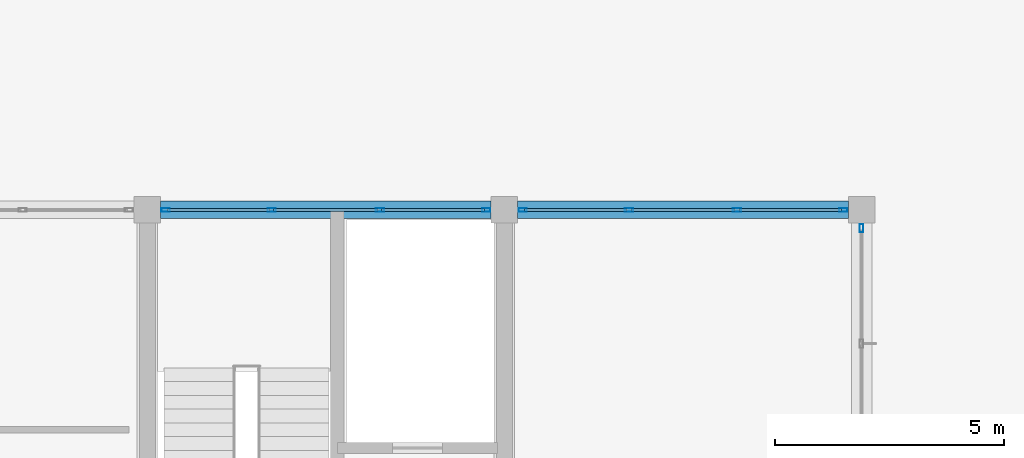
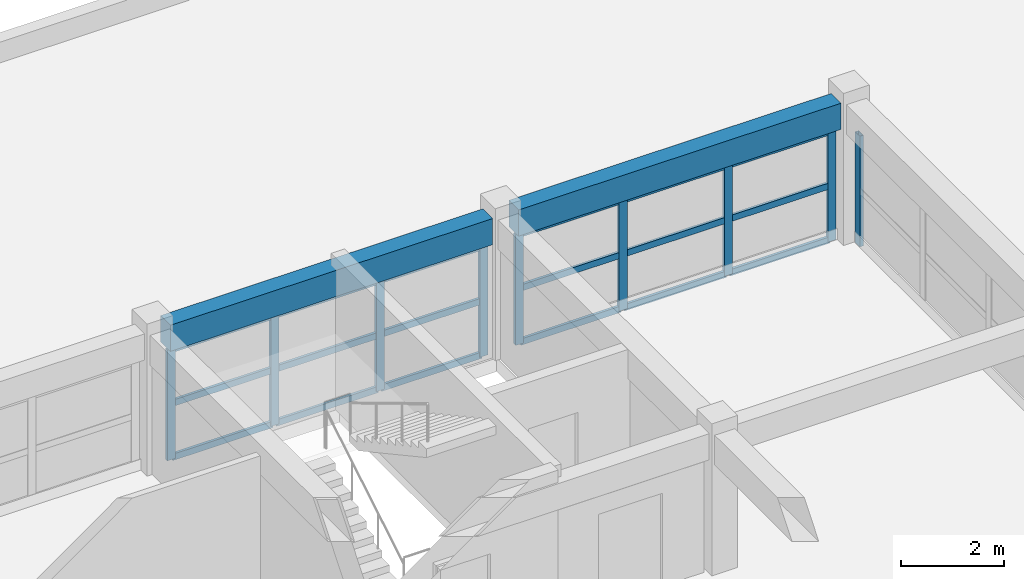
# One storey, part 74 of 101: 27 members, 2 beams, 3 elements without a shape of their own.
"""IFC4 building model written with IfcOpenShell, lengths in metres."""

from ifc_helpers import new_model, si_unit, direction, frame, origin, origin_2d, place, context, subcontext, project, spatial, rectangle, hollow_rectangle, extrude, material, layer, layer_set, material_profile, profile_set, type_object, element, aggregate, save


model = new_model("IFC4")

# Units and contexts
model_context = context("Model", 3, precision=1e-05, world=origin(), true_north=direction((0.0, 1.0)))
body_context = subcontext(model_context, "Body", "Model", "MODEL_VIEW")
ifc_project = project(units=[si_unit("LENGTHUNIT", "METRE"), si_unit("AREAUNIT", "SQUARE_METRE"), si_unit("VOLUMEUNIT", "CUBIC_METRE"), si_unit("PLANEANGLEUNIT", "RADIAN"), si_unit("MASSUNIT", "GRAM", prefix="KILO")], contexts=[model_context])

# Site, building, storey
site_placement = place(None, origin())
site = spatial("IfcSite", under=ifc_project, at=site_placement, CompositionType="ELEMENT")
building_placement = place(site_placement, origin())
building = spatial("IfcBuilding", under=site, at=building_placement, Name="Zizhar Promenade General Hospital", CompositionType="ELEMENT")
storey_placement = place(building_placement, frame((0.0, 0.0, 14.39990234375)))
storey = spatial("IfcBuildingStorey", under=building, at=storey_placement, Name="L03", CompositionType="ELEMENT", Elevation=14.39990234375)

# Beams
ifc_material_1 = material(Name="Concrete C35/45", Category="concrete")
ifc_material_profile_1 = material_profile(ifc_material_1, rectangle(XDim=0.3798828125, YDim=0.6201171875, at=origin_2d()))
ifc_profile_set_1 = profile_set([ifc_material_profile_1], Name="Concrete C35/45")
beam_type = type_object("IfcBeamType", Name="BM-RC-380x620", PredefinedType="JOIST", material=ifc_profile_set_1)
beam_1_placement = place(storey_placement, frame((171.889892578125, 100.800048828125, 3.0), z_axis=(1.0, 0.0, 0.0), x_axis=(0.0, 1.0, 0.0)))
element("IfcBeam", 1, at=beam_1_placement, inside=storey, type_object=beam_type, Name="Grid Beam X L03 (22-12)", PredefinedType="JOIST", context=body_context, shape_type="SweptSolid", body=[
    extrude(rectangle(XDim=0.3798828125, YDim=0.6201171875, at=origin_2d()), origin(), (0.0, 0.0, 1.0), 7.22021484375),
])
beam_2_placement = place(storey_placement, frame((179.68994140625, 100.800048828125, 3.0), z_axis=(1.0, 0.0, 0.0), x_axis=(0.0, 1.0, 0.0)))
element("IfcBeam", 2, at=beam_2_placement, inside=storey, type_object=beam_type, Name="Grid Beam X L03 (23-12)", PredefinedType="JOIST", context=body_context, shape_type="SweptSolid", body=[
    extrude(rectangle(XDim=0.3798828125, YDim=0.6201171875, at=origin_2d()), origin(), (0.0, 0.0, 1.0), 7.219970703125),
])

# Curtain wall, members
ifc_material_2 = material(Name="Anodised aluminium 6063-T6 and low-E glass", Category="aluminium")
ifc_layer = layer(ifc_material_2, 0.159912109375)
ifc_layer_set = layer_set([ifc_layer], Name="Anodised aluminium 6063-T6 and low-E glass")
curtain_wall_type = type_object("IfcCurtainWallType", Name="CW-CLN-L03", PredefinedType="NOTDEFINED", material=ifc_layer_set)
curtain_wall_1_placement = place(storey_placement, origin())
curtain_wall_1 = element("IfcCurtainWall", 3, at=curtain_wall_1_placement, inside=storey, type_object=curtain_wall_type, Name="L03 Clinic Pavilion North Glazing 22", PredefinedType="NOTDEFINED")
ifc_material_3 = material(Name="Anodised aluminium 6063-T6", Category="aluminium")
ifc_material_profile_2 = material_profile(ifc_material_3, hollow_rectangle(XDim=0.080078125, YDim=0.179931640625, WallThickness=0.0048828125, at=origin_2d()))
ifc_profile_set_2 = profile_set([ifc_material_profile_2], Name="Anodised aluminium 6063-T6")
member_type_1 = type_object("IfcMemberType", Name="CWM-ALU-180x80", PredefinedType="MULLION", material=ifc_profile_set_2)
member_1_placement = place(storey_placement, frame((172.0, 100.800048828125, 0.0), z_axis=(0.0, 0.0, 1.0), x_axis=(0.0, 1.0, 0.0)))
member_1 = element("IfcMember", 4, at=member_1_placement, type_object=member_type_1, Name="CW-11 mullion 1", PredefinedType="MULLION", context=body_context, shape_type="SweptSolid", body=[
    extrude(hollow_rectangle(XDim=0.080078125, YDim=0.179931640625, WallThickness=0.0048828125, at=origin_2d()), origin(), (0.0, 0.0, 1.0), 2.6201171875),
])
member_2_placement = place(storey_placement, frame((174.320068359375, 100.800048828125, 0.0), z_axis=(0.0, 0.0, 1.0), x_axis=(0.0, 1.0, 0.0)))
member_2 = element("IfcMember", 5, at=member_2_placement, type_object=member_type_1, Name="CW-11 mullion 2", PredefinedType="MULLION", context=body_context, shape_type="SweptSolid", body=[
    extrude(hollow_rectangle(XDim=0.080078125, YDim=0.179931640625, WallThickness=0.0048828125, at=origin_2d()), origin(), (0.0, 0.0, 1.0), 2.6201171875),
])
member_3_placement = place(storey_placement, frame((176.679931640625, 100.800048828125, 0.0), z_axis=(0.0, 0.0, 1.0), x_axis=(0.0, 1.0, 0.0)))
member_3 = element("IfcMember", 6, at=member_3_placement, type_object=member_type_1, Name="CW-11 mullion 3", PredefinedType="MULLION", context=body_context, shape_type="SweptSolid", body=[
    extrude(hollow_rectangle(XDim=0.080078125, YDim=0.179931640625, WallThickness=0.0048828125, at=origin_2d()), origin(), (0.0, 0.0, 1.0), 2.6201171875),
])
member_4_placement = place(storey_placement, frame((179.0, 100.800048828125, 0.0), z_axis=(0.0, 0.0, 1.0), x_axis=(0.0, 1.0, 0.0)))
member_4 = element("IfcMember", 7, at=member_4_placement, type_object=member_type_1, Name="CW-11 mullion 4", PredefinedType="MULLION", context=body_context, shape_type="SweptSolid", body=[
    extrude(hollow_rectangle(XDim=0.080078125, YDim=0.179931640625, WallThickness=0.0048828125, at=origin_2d()), origin(), (0.0, 0.0, 1.0), 2.6201171875),
])

curtain_wall_2_placement = place(storey_placement, origin())
curtain_wall_2 = element("IfcCurtainWall", 8, at=curtain_wall_2_placement, inside=storey, type_object=curtain_wall_type, Name="L03 Clinic Pavilion North Glazing 23", PredefinedType="NOTDEFINED")
member_5_placement = place(storey_placement, frame((179.800048828125, 100.800048828125, 0.0), z_axis=(0.0, 0.0, 1.0), x_axis=(0.0, 1.0, 0.0)))
member_5 = element("IfcMember", 9, at=member_5_placement, type_object=member_type_1, Name="CW-11 mullion 1", PredefinedType="MULLION", context=body_context, shape_type="SweptSolid", body=[
    extrude(hollow_rectangle(XDim=0.080078125, YDim=0.179931640625, WallThickness=0.0048828125, at=origin_2d()), origin(), (0.0, 0.0, 1.0), 2.6201171875),
])
member_6_placement = place(storey_placement, frame((182.1201171875, 100.800048828125, 0.0), z_axis=(0.0, 0.0, 1.0), x_axis=(0.0, 1.0, 0.0)))
member_6 = element("IfcMember", 10, at=member_6_placement, type_object=member_type_1, Name="CW-11 mullion 2", PredefinedType="MULLION", context=body_context, shape_type="SweptSolid", body=[
    extrude(hollow_rectangle(XDim=0.080078125, YDim=0.179931640625, WallThickness=0.0048828125, at=origin_2d()), origin(), (0.0, 0.0, 1.0), 2.6201171875),
])
member_7_placement = place(storey_placement, frame((184.47998046875, 100.800048828125, 0.0), z_axis=(0.0, 0.0, 1.0), x_axis=(0.0, 1.0, 0.0)))
member_7 = element("IfcMember", 11, at=member_7_placement, type_object=member_type_1, Name="CW-11 mullion 3", PredefinedType="MULLION", context=body_context, shape_type="SweptSolid", body=[
    extrude(hollow_rectangle(XDim=0.080078125, YDim=0.179931640625, WallThickness=0.0048828125, at=origin_2d()), origin(), (0.0, 0.0, 1.0), 2.6201171875),
])
member_8_placement = place(storey_placement, frame((186.800048828125, 100.800048828125, 0.0), z_axis=(0.0, 0.0, 1.0), x_axis=(0.0, 1.0, 0.0)))
member_8 = element("IfcMember", 12, at=member_8_placement, type_object=member_type_1, Name="CW-11 mullion 4", PredefinedType="MULLION", context=body_context, shape_type="SweptSolid", body=[
    extrude(hollow_rectangle(XDim=0.080078125, YDim=0.179931640625, WallThickness=0.0048828125, at=origin_2d()), origin(), (0.0, 0.0, 1.0), 2.6201171875),
])

# Curtain wall, member
curtain_wall_3_placement = place(storey_placement, origin())
curtain_wall_3 = element("IfcCurtainWall", 13, at=curtain_wall_3_placement, inside=storey, type_object=curtain_wall_type, Name="L03 Clinic Pavilion East Glazing 11", PredefinedType="NOTDEFINED")
member_9_placement = place(storey_placement, frame((187.199951171875, 100.39990234375, 0.0), z_axis=(0.0, 0.0, 1.0), x_axis=(1.0, 0.0, 0.0)))
member_9 = element("IfcMember", 14, at=member_9_placement, type_object=member_type_1, Name="CW-11 mullion 1", PredefinedType="MULLION", context=body_context, shape_type="SweptSolid", body=[
    extrude(hollow_rectangle(XDim=0.080078125, YDim=0.179931640625, WallThickness=0.0048828125, at=origin_2d()), origin(), (0.0, 0.0, 1.0), 2.6201171875),
])
aggregate(curtain_wall_3, [member_9])

# Member
ifc_material_4 = material(Name="Anodised aluminium 6063-T6", Category="aluminium")
ifc_material_profile_3 = material_profile(ifc_material_4, hollow_rectangle(XDim=0.06005859375, YDim=0.14990234375, WallThickness=0.00390625, at=origin_2d()))
ifc_profile_set_3 = profile_set([ifc_material_profile_3], Name="Anodised aluminium 6063-T6")
member_type_2 = type_object("IfcMemberType", Name="CWT-ALU-150x60", PredefinedType="USERDEFINED", material=ifc_profile_set_3)
member_10_placement = place(storey_placement, frame((172.0400390625, 100.800048828125, 0.030029296875), z_axis=(1.0, 0.0, 0.0), x_axis=(0.0, 1.0, 0.0)))
member_10 = element("IfcMember", 15, at=member_10_placement, type_object=member_type_2, Name="CW-11 transom 1.1", ObjectType="TRANSOM", PredefinedType="USERDEFINED", context=body_context, shape_type="SweptSolid", body=[
    extrude(hollow_rectangle(XDim=0.06005859375, YDim=0.14990234375, WallThickness=0.00390625, at=origin_2d()), origin(), (0.0, 0.0, 1.0), 2.239990234375),
])

member_11_placement = place(storey_placement, frame((172.0400390625, 100.800048828125, 1.31005859375), z_axis=(1.0, 0.0, 0.0), x_axis=(0.0, 1.0, 0.0)))
member_11 = element("IfcMember", 16, at=member_11_placement, type_object=member_type_2, Name="CW-11 transom 1.2", ObjectType="TRANSOM", PredefinedType="USERDEFINED", context=body_context, shape_type="SweptSolid", body=[
    extrude(hollow_rectangle(XDim=0.06005859375, YDim=0.14990234375, WallThickness=0.00390625, at=origin_2d()), origin(), (0.0, 0.0, 1.0), 2.239990234375),
])

member_12_placement = place(storey_placement, frame((172.0400390625, 100.800048828125, 2.590087890625), z_axis=(1.0, 0.0, 0.0), x_axis=(0.0, 1.0, 0.0)))
member_12 = element("IfcMember", 17, at=member_12_placement, type_object=member_type_2, Name="CW-11 transom 1.3", ObjectType="TRANSOM", PredefinedType="USERDEFINED", context=body_context, shape_type="SweptSolid", body=[
    extrude(hollow_rectangle(XDim=0.06005859375, YDim=0.14990234375, WallThickness=0.00390625, at=origin_2d()), origin(), (0.0, 0.0, 1.0), 2.239990234375),
])

member_13_placement = place(storey_placement, frame((174.360107421875, 100.800048828125, 0.030029296875), z_axis=(1.0, 0.0, 0.0), x_axis=(0.0, 1.0, 0.0)))
member_13 = element("IfcMember", 18, at=member_13_placement, type_object=member_type_2, Name="CW-11 transom 2.1", ObjectType="TRANSOM", PredefinedType="USERDEFINED", context=body_context, shape_type="SweptSolid", body=[
    extrude(hollow_rectangle(XDim=0.06005859375, YDim=0.14990234375, WallThickness=0.00390625, at=origin_2d()), origin(), (0.0, 0.0, 1.0), 2.27978515625),
])

member_14_placement = place(storey_placement, frame((174.360107421875, 100.800048828125, 1.31005859375), z_axis=(1.0, 0.0, 0.0), x_axis=(0.0, 1.0, 0.0)))
member_14 = element("IfcMember", 19, at=member_14_placement, type_object=member_type_2, Name="CW-11 transom 2.2", ObjectType="TRANSOM", PredefinedType="USERDEFINED", context=body_context, shape_type="SweptSolid", body=[
    extrude(hollow_rectangle(XDim=0.06005859375, YDim=0.14990234375, WallThickness=0.00390625, at=origin_2d()), origin(), (0.0, 0.0, 1.0), 2.27978515625),
])

member_15_placement = place(storey_placement, frame((174.360107421875, 100.800048828125, 2.590087890625), z_axis=(1.0, 0.0, 0.0), x_axis=(0.0, 1.0, 0.0)))
member_15 = element("IfcMember", 20, at=member_15_placement, type_object=member_type_2, Name="CW-11 transom 2.3", ObjectType="TRANSOM", PredefinedType="USERDEFINED", context=body_context, shape_type="SweptSolid", body=[
    extrude(hollow_rectangle(XDim=0.06005859375, YDim=0.14990234375, WallThickness=0.00390625, at=origin_2d()), origin(), (0.0, 0.0, 1.0), 2.27978515625),
])

member_16_placement = place(storey_placement, frame((176.719970703125, 100.800048828125, 0.030029296875), z_axis=(1.0, 0.0, 0.0), x_axis=(0.0, 1.0, 0.0)))
member_16 = element("IfcMember", 21, at=member_16_placement, type_object=member_type_2, Name="CW-11 transom 3.1", ObjectType="TRANSOM", PredefinedType="USERDEFINED", context=body_context, shape_type="SweptSolid", body=[
    extrude(hollow_rectangle(XDim=0.06005859375, YDim=0.14990234375, WallThickness=0.00390625, at=origin_2d()), origin(), (0.0, 0.0, 1.0), 2.239990234375),
])

member_17_placement = place(storey_placement, frame((176.719970703125, 100.800048828125, 1.31005859375), z_axis=(1.0, 0.0, 0.0), x_axis=(0.0, 1.0, 0.0)))
member_17 = element("IfcMember", 22, at=member_17_placement, type_object=member_type_2, Name="CW-11 transom 3.2", ObjectType="TRANSOM", PredefinedType="USERDEFINED", context=body_context, shape_type="SweptSolid", body=[
    extrude(hollow_rectangle(XDim=0.06005859375, YDim=0.14990234375, WallThickness=0.00390625, at=origin_2d()), origin(), (0.0, 0.0, 1.0), 2.239990234375),
])

member_18_placement = place(storey_placement, frame((176.719970703125, 100.800048828125, 2.590087890625), z_axis=(1.0, 0.0, 0.0), x_axis=(0.0, 1.0, 0.0)))
member_18 = element("IfcMember", 23, at=member_18_placement, type_object=member_type_2, Name="CW-11 transom 3.3", ObjectType="TRANSOM", PredefinedType="USERDEFINED", context=body_context, shape_type="SweptSolid", body=[
    extrude(hollow_rectangle(XDim=0.06005859375, YDim=0.14990234375, WallThickness=0.00390625, at=origin_2d()), origin(), (0.0, 0.0, 1.0), 2.239990234375),
])

aggregate(curtain_wall_1, [member_1, member_2, member_3, member_4, member_10, member_11, member_12, member_13, member_14, member_15, member_16, member_17, member_18])

member_19_placement = place(storey_placement, frame((179.840087890625, 100.800048828125, 0.030029296875), z_axis=(1.0, 0.0, 0.0), x_axis=(0.0, 1.0, 0.0)))
member_19 = element("IfcMember", 24, at=member_19_placement, type_object=member_type_2, Name="CW-11 transom 1.1", ObjectType="TRANSOM", PredefinedType="USERDEFINED", context=body_context, shape_type="SweptSolid", body=[
    extrude(hollow_rectangle(XDim=0.06005859375, YDim=0.14990234375, WallThickness=0.00390625, at=origin_2d()), origin(), (0.0, 0.0, 1.0), 2.239990234375),
])

member_20_placement = place(storey_placement, frame((179.840087890625, 100.800048828125, 1.31005859375), z_axis=(1.0, 0.0, 0.0), x_axis=(0.0, 1.0, 0.0)))
member_20 = element("IfcMember", 25, at=member_20_placement, type_object=member_type_2, Name="CW-11 transom 1.2", ObjectType="TRANSOM", PredefinedType="USERDEFINED", context=body_context, shape_type="SweptSolid", body=[
    extrude(hollow_rectangle(XDim=0.06005859375, YDim=0.14990234375, WallThickness=0.00390625, at=origin_2d()), origin(), (0.0, 0.0, 1.0), 2.239990234375),
])

member_21_placement = place(storey_placement, frame((179.840087890625, 100.800048828125, 2.590087890625), z_axis=(1.0, 0.0, 0.0), x_axis=(0.0, 1.0, 0.0)))
member_21 = element("IfcMember", 26, at=member_21_placement, type_object=member_type_2, Name="CW-11 transom 1.3", ObjectType="TRANSOM", PredefinedType="USERDEFINED", context=body_context, shape_type="SweptSolid", body=[
    extrude(hollow_rectangle(XDim=0.06005859375, YDim=0.14990234375, WallThickness=0.00390625, at=origin_2d()), origin(), (0.0, 0.0, 1.0), 2.239990234375),
])

member_22_placement = place(storey_placement, frame((182.159912109375, 100.800048828125, 0.030029296875), z_axis=(1.0, 0.0, 0.0), x_axis=(0.0, 1.0, 0.0)))
member_22 = element("IfcMember", 27, at=member_22_placement, type_object=member_type_2, Name="CW-11 transom 2.1", ObjectType="TRANSOM", PredefinedType="USERDEFINED", context=body_context, shape_type="SweptSolid", body=[
    extrude(hollow_rectangle(XDim=0.06005859375, YDim=0.14990234375, WallThickness=0.00390625, at=origin_2d()), origin(), (0.0, 0.0, 1.0), 2.280029296875),
])

member_23_placement = place(storey_placement, frame((182.159912109375, 100.800048828125, 1.31005859375), z_axis=(1.0, 0.0, 0.0), x_axis=(0.0, 1.0, 0.0)))
member_23 = element("IfcMember", 28, at=member_23_placement, type_object=member_type_2, Name="CW-11 transom 2.2", ObjectType="TRANSOM", PredefinedType="USERDEFINED", context=body_context, shape_type="SweptSolid", body=[
    extrude(hollow_rectangle(XDim=0.06005859375, YDim=0.14990234375, WallThickness=0.00390625, at=origin_2d()), origin(), (0.0, 0.0, 1.0), 2.280029296875),
])

member_24_placement = place(storey_placement, frame((182.159912109375, 100.800048828125, 2.590087890625), z_axis=(1.0, 0.0, 0.0), x_axis=(0.0, 1.0, 0.0)))
member_24 = element("IfcMember", 29, at=member_24_placement, type_object=member_type_2, Name="CW-11 transom 2.3", ObjectType="TRANSOM", PredefinedType="USERDEFINED", context=body_context, shape_type="SweptSolid", body=[
    extrude(hollow_rectangle(XDim=0.06005859375, YDim=0.14990234375, WallThickness=0.00390625, at=origin_2d()), origin(), (0.0, 0.0, 1.0), 2.280029296875),
])

member_25_placement = place(storey_placement, frame((184.52001953125, 100.800048828125, 0.030029296875), z_axis=(1.0, 0.0, 0.0), x_axis=(0.0, 1.0, 0.0)))
member_25 = element("IfcMember", 30, at=member_25_placement, type_object=member_type_2, Name="CW-11 transom 3.1", ObjectType="TRANSOM", PredefinedType="USERDEFINED", context=body_context, shape_type="SweptSolid", body=[
    extrude(hollow_rectangle(XDim=0.06005859375, YDim=0.14990234375, WallThickness=0.00390625, at=origin_2d()), origin(), (0.0, 0.0, 1.0), 2.239990234375),
])

member_26_placement = place(storey_placement, frame((184.52001953125, 100.800048828125, 1.31005859375), z_axis=(1.0, 0.0, 0.0), x_axis=(0.0, 1.0, 0.0)))
member_26 = element("IfcMember", 31, at=member_26_placement, type_object=member_type_2, Name="CW-11 transom 3.2", ObjectType="TRANSOM", PredefinedType="USERDEFINED", context=body_context, shape_type="SweptSolid", body=[
    extrude(hollow_rectangle(XDim=0.06005859375, YDim=0.14990234375, WallThickness=0.00390625, at=origin_2d()), origin(), (0.0, 0.0, 1.0), 2.239990234375),
])

member_27_placement = place(storey_placement, frame((184.52001953125, 100.800048828125, 2.590087890625), z_axis=(1.0, 0.0, 0.0), x_axis=(0.0, 1.0, 0.0)))
member_27 = element("IfcMember", 32, at=member_27_placement, type_object=member_type_2, Name="CW-11 transom 3.3", ObjectType="TRANSOM", PredefinedType="USERDEFINED", context=body_context, shape_type="SweptSolid", body=[
    extrude(hollow_rectangle(XDim=0.06005859375, YDim=0.14990234375, WallThickness=0.00390625, at=origin_2d()), origin(), (0.0, 0.0, 1.0), 2.239990234375),
])

aggregate(curtain_wall_2, [member_5, member_6, member_7, member_8, member_19, member_20, member_21, member_22, member_23, member_24, member_25, member_26, member_27])

save(model, "model.ifc")
